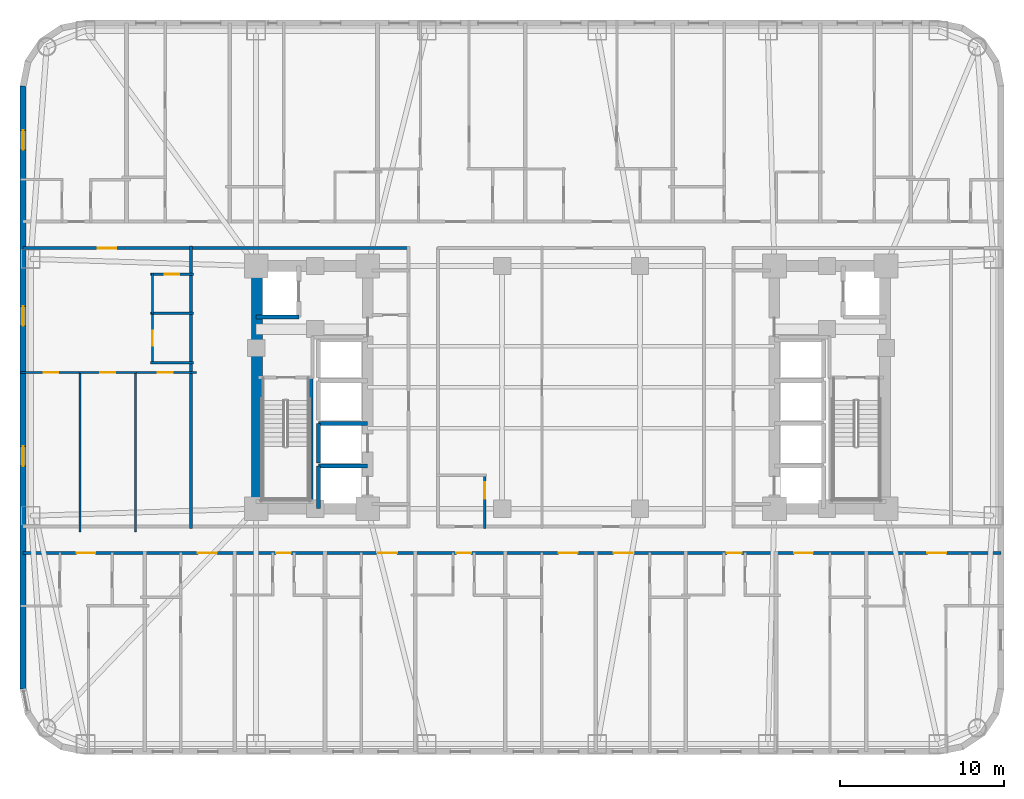
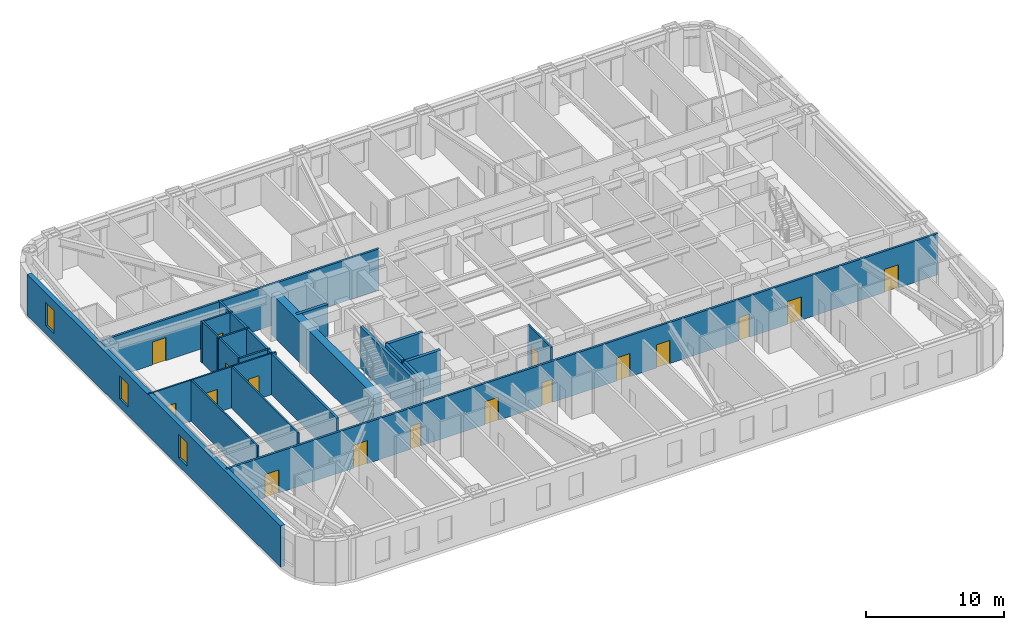
# One storey, part 4 of 11: 22 walls, 17 doors, 3 windows, 20 openings.
"""IFC4 building model written with IfcOpenShell, lengths in metres."""

from ifc_helpers import new_model, si_unit, direction, frame, frame_2d, origin, place, context, subcontext, project, spatial, rectangle, extrude, material, layer, layer_set, type_object, element, fill, save


model = new_model("IFC4")

# Units and contexts
model_context = context("Model", 3, precision=1e-05, world=origin(), true_north=direction((0.0, 1.0)))
body_context = subcontext(model_context, "Body", "Model", "MODEL_VIEW")
ifc_project = project(units=[si_unit("LENGTHUNIT", "METRE"), si_unit("AREAUNIT", "SQUARE_METRE"), si_unit("VOLUMEUNIT", "CUBIC_METRE"), si_unit("PLANEANGLEUNIT", "RADIAN"), si_unit("MASSUNIT", "GRAM", prefix="KILO")], contexts=[model_context])

# Site, building, storey
site_placement = place(None, origin())
site = spatial("IfcSite", under=ifc_project, at=site_placement, CompositionType="ELEMENT")
building_placement = place(site_placement, origin())
building = spatial("IfcBuilding", under=site, at=building_placement, Name="Voryun Gate Residences", CompositionType="ELEMENT")
storey_placement = place(building_placement, frame((0.0, 0.0, 68.89990234375)))
storey = spatial("IfcBuildingStorey", under=building, at=storey_placement, Name="L16", CompositionType="ELEMENT", Elevation=68.89990234375)

# Wall
ifc_material_1 = material(Name="Concrete C60/75", Category="concrete")
ifc_layer_1 = layer(ifc_material_1, 0.64990234375, Name="CW_CORE_650")
ifc_layer_set_1 = layer_set([ifc_layer_1], Name="Concrete C60/75")
wall_type_1 = type_object("IfcWallType", Name="CW_CORE_650", PredefinedType="SHEAR", material=ifc_layer_set_1)
wall_1_placement = place(storey_placement, frame((-19.14501953125, -7.39990234375, 0.0), z_axis=(0.0, 0.0, 1.0), x_axis=(0.0, 1.0, 0.0)))
element("IfcWall", 1, at=wall_1_placement, inside=storey, type_object=wall_type_1, Name="L16 Core shear wall CW-L16-WW", PredefinedType="SHEAR", context=body_context, shape_type="SweptSolid", body=[
    extrude(rectangle(XDim=14.7998046875, YDim=0.64990234375, at=frame_2d((7.39990234375, 0.0))), origin(), (0.0, 0.0, 1.0), 3.650146484375),
])

# Wall, opening, door
ifc_material_2 = material(Name="Gypsum acoustic fireboard")
ifc_layer_2 = layer(ifc_material_2, 0.179931640625, Name="W_CORR_RATED_180")
ifc_layer_set_2 = layer_set([ifc_layer_2], Name="Gypsum acoustic fireboard")
wall_type_2 = type_object("IfcWallType", Name="W_CORR_RATED_180", PredefinedType="PARTITIONING", material=ifc_layer_set_2)
wall_2_placement = place(storey_placement, frame((-33.409912109375, 8.489990234375, 0.0), z_axis=(0.0, 0.0, 1.0), x_axis=(1.0, 0.0, 0.0)))
wall_2 = element("IfcWall", 2, at=wall_2_placement, inside=storey, type_object=wall_type_2, Name="Partition wall WP-L16-CWING-WN", PredefinedType="PARTITIONING", context=body_context, shape_type="SweptSolid", body=[
    extrude(rectangle(XDim=23.530029296875, YDim=0.179931640625, at=frame_2d((11.76513671875, 0.0))), origin(), (0.0, 0.0, 1.0), 3.650146484375),
])
opening_1_placement = place(wall_2_placement, frame((4.540283203125, 0.0, 0.0)))
opening_1 = element("IfcOpeningElement", 3, at=opening_1_placement, cuts=wall_2, Name="Opening D-UNIT-1", PredefinedType="OPENING", context=body_context, shape_type="SweptSolid", body=[
    extrude(rectangle(XDim=1.14990234375, YDim=2.050048828125, at=frame_2d((0.574951171875, 1.02490234375))), frame((0.0, 0.099853515625, 0.0), z_axis=(0.0, -1.0, 0.0), x_axis=(1.0, 0.0, 0.0)), (0.0, 0.0, 1.0), 0.199951171875),
])
ifc_material_3 = material(Name="Armoured timber-clad fire door", Category="wood")
door_type_1 = type_object("IfcDoorType", Name="DR_UNIT_ENTRY_1150", OperationType="NOTDEFINED", PredefinedType="DOOR", material=ifc_material_3)
door_1_placement = place(opening_1_placement, origin())
door_1 = element("IfcDoor", 4, at=door_1_placement, inside=storey, type_object=door_type_1, Name="Door DR-L16-WE1N", OperationType="SINGLE_SWING_LEFT", OverallHeight=2.050048828125, OverallWidth=1.14990234375, PredefinedType="DOOR", context=body_context, shape_type="SweptSolid", body=[
    extrude(rectangle(XDim=1.14990234375, YDim=2.050048828125, at=frame_2d((0.574951171875, 1.02490234375))), frame((0.0, 0.02490234375, 0.0), z_axis=(0.0, -1.0, 0.0), x_axis=(1.0, 0.0, 0.0)), (0.0, 0.0, 1.0), 0.050048828125),
])
fill(opening_1, door_1)

# Wall, openings, doors
wall_3_placement = place(storey_placement, frame((-33.409912109375, -10.10009765625, 0.0), z_axis=(0.0, 0.0, 1.0), x_axis=(1.0, 0.0, 0.0)))
wall_3 = element("IfcWall", 5, at=wall_3_placement, inside=storey, type_object=wall_type_2, Name="Partition wall WP-L16-SCORR", PredefinedType="PARTITIONING", context=body_context, shape_type="SweptSolid", body=[
    extrude(rectangle(XDim=59.619873046875, YDim=0.179931640625, at=frame_2d((29.81005859375, 0.0))), origin(), (0.0, 0.0, 1.0), 3.650146484375),
])
opening_2_placement = place(wall_3_placement, frame((3.258544921875, 0.0, 0.0)))
opening_2 = element("IfcOpeningElement", 6, at=opening_2_placement, cuts=wall_3, Name="Opening D-UNIT-1", PredefinedType="OPENING", context=body_context, shape_type="SweptSolid", body=[
    extrude(rectangle(XDim=1.14990234375, YDim=2.050048828125, at=frame_2d((0.574951171875, 1.02490234375))), frame((0.0, 0.099853515625, 0.0), z_axis=(0.0, -1.0, 0.0), x_axis=(1.0, 0.0, 0.0)), (0.0, 0.0, 1.0), 0.199951171875),
])
opening_3_placement = place(wall_3_placement, frame((10.657470703125, 0.0, 0.0)))
opening_3 = element("IfcOpeningElement", 7, at=opening_3_placement, cuts=wall_3, Name="Opening D-UNIT-1", PredefinedType="OPENING", context=body_context, shape_type="SweptSolid", body=[
    extrude(rectangle(XDim=1.14990234375, YDim=2.050048828125, at=frame_2d((0.574951171875, 1.02490234375))), frame((0.0, 0.099853515625, 0.0), z_axis=(0.0, -1.0, 0.0), x_axis=(1.0, 0.0, 0.0)), (0.0, 0.0, 1.0), 0.199951171875),
])
opening_4_placement = place(wall_3_placement, frame((15.4208984375, 0.0, 0.0)))
opening_4 = element("IfcOpeningElement", 8, at=opening_4_placement, cuts=wall_3, Name="Opening D-INT-2", PredefinedType="OPENING", context=body_context, shape_type="SweptSolid", body=[
    extrude(rectangle(XDim=0.89990234375, YDim=2.050048828125, at=frame_2d((0.449951171875, 1.02490234375))), frame((0.0, 0.099853515625, 0.0), z_axis=(0.0, -1.0, 0.0), x_axis=(1.0, 0.0, 0.0)), (0.0, 0.0, 1.0), 0.199951171875),
])
opening_5_placement = place(wall_3_placement, frame((21.6572265625, 0.0, 0.0)))
opening_5 = element("IfcOpeningElement", 9, at=opening_5_placement, cuts=wall_3, Name="Opening D-UNIT-1", PredefinedType="OPENING", context=body_context, shape_type="SweptSolid", body=[
    extrude(rectangle(XDim=1.14990234375, YDim=2.050048828125, at=frame_2d((0.574951171875, 1.02490234375))), frame((0.0, 0.099853515625, 0.0), z_axis=(0.0, -1.0, 0.0), x_axis=(1.0, 0.0, 0.0)), (0.0, 0.0, 1.0), 0.199951171875),
])
opening_6_placement = place(wall_3_placement, frame((26.420654296875, 0.0, 0.0)))
opening_6 = element("IfcOpeningElement", 10, at=opening_6_placement, cuts=wall_3, Name="Opening D-INT-2", PredefinedType="OPENING", context=body_context, shape_type="SweptSolid", body=[
    extrude(rectangle(XDim=0.89990234375, YDim=2.050048828125, at=frame_2d((0.449951171875, 1.02490234375))), frame((0.0, 0.099853515625, 0.0), z_axis=(0.0, -1.0, 0.0), x_axis=(1.0, 0.0, 0.0)), (0.0, 0.0, 1.0), 0.199951171875),
])
opening_7_placement = place(wall_3_placement, frame((32.6572265625, 0.0, 0.0)))
opening_7 = element("IfcOpeningElement", 11, at=opening_7_placement, cuts=wall_3, Name="Opening D-UNIT-1", PredefinedType="OPENING", context=body_context, shape_type="SweptSolid", body=[
    extrude(rectangle(XDim=1.14990234375, YDim=2.050048828125, at=frame_2d((0.574951171875, 1.02490234375))), frame((0.0, 0.099853515625, 0.0), z_axis=(0.0, -1.0, 0.0), x_axis=(1.0, 0.0, 0.0)), (0.0, 0.0, 1.0), 0.199951171875),
])
opening_8_placement = place(wall_3_placement, frame((36.0078125, 0.0, 0.0)))
opening_8 = element("IfcOpeningElement", 12, at=opening_8_placement, cuts=wall_3, Name="Opening D-UNIT-1", PredefinedType="OPENING", context=body_context, shape_type="SweptSolid", body=[
    extrude(rectangle(XDim=1.14990234375, YDim=2.050048828125, at=frame_2d((0.574951171875, 1.02490234375))), frame((0.0, 0.099853515625, 0.0), z_axis=(0.0, -1.0, 0.0), x_axis=(1.0, 0.0, 0.0)), (0.0, 0.0, 1.0), 0.199951171875),
])
opening_9_placement = place(wall_3_placement, frame((42.91748046875, 0.0, 0.0)))
opening_9 = element("IfcOpeningElement", 13, at=opening_9_placement, cuts=wall_3, Name="Opening D-INT-2", PredefinedType="OPENING", context=body_context, shape_type="SweptSolid", body=[
    extrude(rectangle(XDim=0.89990234375, YDim=2.050048828125, at=frame_2d((0.449951171875, 1.02490234375))), frame((0.0, 0.099853515625, 0.0), z_axis=(0.0, -1.0, 0.0), x_axis=(1.0, 0.0, 0.0)), (0.0, 0.0, 1.0), 0.199951171875),
])
opening_10_placement = place(wall_3_placement, frame((47.0078125, 0.0, 0.0)))
opening_10 = element("IfcOpeningElement", 14, at=opening_10_placement, cuts=wall_3, Name="Opening D-UNIT-1", PredefinedType="OPENING", context=body_context, shape_type="SweptSolid", body=[
    extrude(rectangle(XDim=1.14990234375, YDim=2.050048828125, at=frame_2d((0.574951171875, 1.02490234375))), frame((0.0, 0.099853515625, 0.0), z_axis=(0.0, -1.0, 0.0), x_axis=(1.0, 0.0, 0.0)), (0.0, 0.0, 1.0), 0.199951171875),
])
opening_11_placement = place(wall_3_placement, frame((55.139892578125, 0.0, 0.0)))
opening_11 = element("IfcOpeningElement", 15, at=opening_11_placement, cuts=wall_3, Name="Opening D-UNIT-1", PredefinedType="OPENING", context=body_context, shape_type="SweptSolid", body=[
    extrude(rectangle(XDim=1.14990234375, YDim=2.050048828125, at=frame_2d((0.574951171875, 1.02490234375))), frame((0.0, 0.099853515625, 0.0), z_axis=(0.0, -1.0, 0.0), x_axis=(1.0, 0.0, 0.0)), (0.0, 0.0, 1.0), 0.199951171875),
])
ifc_material_4 = material(Name="Architectural oak veneer")
door_type_2 = type_object("IfcDoorType", Name="DR_INT_BATH_900", OperationType="NOTDEFINED", PredefinedType="DOOR", material=ifc_material_4)
door_2_placement = place(opening_4_placement, origin())
door_2 = element("IfcDoor", 16, at=door_2_placement, inside=storey, type_object=door_type_2, Name="Door DR-L16-SENT-3", OperationType="SINGLE_SWING_RIGHT", OverallHeight=2.050048828125, OverallWidth=0.89990234375, PredefinedType="DOOR", context=body_context, shape_type="SweptSolid", body=[
    extrude(rectangle(XDim=0.89990234375, YDim=2.050048828125, at=frame_2d((0.449951171875, 1.02490234375))), frame((0.0, 0.02490234375, 0.0), z_axis=(0.0, -1.0, 0.0), x_axis=(1.0, 0.0, 0.0)), (0.0, 0.0, 1.0), 0.050048828125),
])
fill(opening_4, door_2)
door_3_placement = place(opening_6_placement, origin())
door_3 = element("IfcDoor", 17, at=door_3_placement, inside=storey, type_object=door_type_2, Name="Door DR-L16-SENT-5", OperationType="SINGLE_SWING_RIGHT", OverallHeight=2.050048828125, OverallWidth=0.89990234375, PredefinedType="DOOR", context=body_context, shape_type="SweptSolid", body=[
    extrude(rectangle(XDim=0.89990234375, YDim=2.050048828125, at=frame_2d((0.449951171875, 1.02490234375))), frame((0.0, 0.02490234375, 0.0), z_axis=(0.0, -1.0, 0.0), x_axis=(1.0, 0.0, 0.0)), (0.0, 0.0, 1.0), 0.050048828125),
])
fill(opening_6, door_3)
door_4_placement = place(opening_9_placement, origin())
door_4 = element("IfcDoor", 18, at=door_4_placement, inside=storey, type_object=door_type_2, Name="Door DR-L16-SENT-8", OperationType="SINGLE_SWING_LEFT", OverallHeight=2.050048828125, OverallWidth=0.89990234375, PredefinedType="DOOR", context=body_context, shape_type="SweptSolid", body=[
    extrude(rectangle(XDim=0.89990234375, YDim=2.050048828125, at=frame_2d((0.449951171875, 1.02490234375))), frame((0.0, 0.02490234375, 0.0), z_axis=(0.0, -1.0, 0.0), x_axis=(1.0, 0.0, 0.0)), (0.0, 0.0, 1.0), 0.050048828125),
])
fill(opening_9, door_4)
door_5_placement = place(opening_2_placement, origin())
door_5 = element("IfcDoor", 19, at=door_5_placement, inside=storey, type_object=door_type_1, Name="Door DR-L16-SENT-1", OperationType="SINGLE_SWING_RIGHT", OverallHeight=2.050048828125, OverallWidth=1.14990234375, PredefinedType="DOOR", context=body_context, shape_type="SweptSolid", body=[
    extrude(rectangle(XDim=1.14990234375, YDim=2.050048828125, at=frame_2d((0.574951171875, 1.02490234375))), frame((0.0, 0.02490234375, 0.0), z_axis=(0.0, -1.0, 0.0), x_axis=(1.0, 0.0, 0.0)), (0.0, 0.0, 1.0), 0.050048828125),
])
fill(opening_2, door_5)
door_6_placement = place(opening_3_placement, origin())
door_6 = element("IfcDoor", 20, at=door_6_placement, inside=storey, type_object=door_type_1, Name="Door DR-L16-SENT-2", OperationType="SINGLE_SWING_LEFT", OverallHeight=2.050048828125, OverallWidth=1.14990234375, PredefinedType="DOOR", context=body_context, shape_type="SweptSolid", body=[
    extrude(rectangle(XDim=1.14990234375, YDim=2.050048828125, at=frame_2d((0.574951171875, 1.02490234375))), frame((0.0, 0.02490234375, 0.0), z_axis=(0.0, -1.0, 0.0), x_axis=(1.0, 0.0, 0.0)), (0.0, 0.0, 1.0), 0.050048828125),
])
fill(opening_3, door_6)
door_7_placement = place(opening_5_placement, origin())
door_7 = element("IfcDoor", 21, at=door_7_placement, inside=storey, type_object=door_type_1, Name="Door DR-L16-SENT-4", OperationType="SINGLE_SWING_LEFT", OverallHeight=2.050048828125, OverallWidth=1.14990234375, PredefinedType="DOOR", context=body_context, shape_type="SweptSolid", body=[
    extrude(rectangle(XDim=1.14990234375, YDim=2.050048828125, at=frame_2d((0.574951171875, 1.02490234375))), frame((0.0, 0.02490234375, 0.0), z_axis=(0.0, -1.0, 0.0), x_axis=(1.0, 0.0, 0.0)), (0.0, 0.0, 1.0), 0.050048828125),
])
fill(opening_5, door_7)
door_8_placement = place(opening_7_placement, origin())
door_8 = element("IfcDoor", 22, at=door_8_placement, inside=storey, type_object=door_type_1, Name="Door DR-L16-SENT-6", OperationType="SINGLE_SWING_LEFT", OverallHeight=2.050048828125, OverallWidth=1.14990234375, PredefinedType="DOOR", context=body_context, shape_type="SweptSolid", body=[
    extrude(rectangle(XDim=1.14990234375, YDim=2.050048828125, at=frame_2d((0.574951171875, 1.02490234375))), frame((0.0, 0.02490234375, 0.0), z_axis=(0.0, -1.0, 0.0), x_axis=(1.0, 0.0, 0.0)), (0.0, 0.0, 1.0), 0.050048828125),
])
fill(opening_7, door_8)
door_9_placement = place(opening_8_placement, origin())
door_9 = element("IfcDoor", 23, at=door_9_placement, inside=storey, type_object=door_type_1, Name="Door DR-L16-SENT-7", OperationType="SINGLE_SWING_RIGHT", OverallHeight=2.050048828125, OverallWidth=1.14990234375, PredefinedType="DOOR", context=body_context, shape_type="SweptSolid", body=[
    extrude(rectangle(XDim=1.14990234375, YDim=2.050048828125, at=frame_2d((0.574951171875, 1.02490234375))), frame((0.0, 0.02490234375, 0.0), z_axis=(0.0, -1.0, 0.0), x_axis=(1.0, 0.0, 0.0)), (0.0, 0.0, 1.0), 0.050048828125),
])
fill(opening_8, door_9)
door_10_placement = place(opening_10_placement, origin())
door_10 = element("IfcDoor", 24, at=door_10_placement, inside=storey, type_object=door_type_1, Name="Door DR-L16-SENT-9", OperationType="SINGLE_SWING_RIGHT", OverallHeight=2.050048828125, OverallWidth=1.14990234375, PredefinedType="DOOR", context=body_context, shape_type="SweptSolid", body=[
    extrude(rectangle(XDim=1.14990234375, YDim=2.050048828125, at=frame_2d((0.574951171875, 1.02490234375))), frame((0.0, 0.02490234375, 0.0), z_axis=(0.0, -1.0, 0.0), x_axis=(1.0, 0.0, 0.0)), (0.0, 0.0, 1.0), 0.050048828125),
])
fill(opening_10, door_10)
door_11_placement = place(opening_11_placement, origin())
door_11 = element("IfcDoor", 25, at=door_11_placement, inside=storey, type_object=door_type_1, Name="Door DR-L16-SENT-10", OperationType="SINGLE_SWING_LEFT", OverallHeight=2.050048828125, OverallWidth=1.14990234375, PredefinedType="DOOR", context=body_context, shape_type="SweptSolid", body=[
    extrude(rectangle(XDim=1.14990234375, YDim=2.050048828125, at=frame_2d((0.574951171875, 1.02490234375))), frame((0.0, 0.02490234375, 0.0), z_axis=(0.0, -1.0, 0.0), x_axis=(1.0, 0.0, 0.0)), (0.0, 0.0, 1.0), 0.050048828125),
])
fill(opening_11, door_11)

# Wall
wall_4_placement = place(storey_placement, frame((-23.169921875, -8.610107421875, 0.0), z_axis=(0.0, 0.0, 1.0), x_axis=(0.0, 1.0, 0.0)))
element("IfcWall", 26, at=wall_4_placement, inside=storey, type_object=wall_type_2, Name="Partition wall WP-L16-WCOR", PredefinedType="PARTITIONING", context=body_context, shape_type="SweptSolid", body=[
    extrude(rectangle(XDim=17.22021484375, YDim=0.179931640625, at=frame_2d((8.610107421875, 0.0))), origin(), (0.0, 0.0, 1.0), 3.650146484375),
])

# Wall, openings, windows
ifc_material_5 = material(Name="Granite masonry", Category="masonry")
ifc_layer_3 = layer(ifc_material_5, 0.3798828125, Name="W_EXT_GRANITE_380")
ifc_layer_set_3 = layer_set([ifc_layer_3], Name="Granite masonry")
wall_type_3 = type_object("IfcWallType", Name="W_EXT_GRANITE_380", PredefinedType="ELEMENTEDWALL", material=ifc_layer_set_3)
wall_5_placement = place(storey_placement, frame((-33.409912109375, -18.38134765625, 0.0), z_axis=(0.0, 0.0, 1.0), x_axis=(0.0, 1.0, 0.0)))
wall_5 = element("IfcWall", 27, at=wall_5_placement, inside=storey, type_object=wall_type_3, Name="Exterior wall WEXT-L16-06", PredefinedType="ELEMENTEDWALL", context=body_context, shape_type="SweptSolid", body=[
    extrude(rectangle(XDim=36.7626953125, YDim=0.3798828125, at=frame_2d((18.38134765625, 0.0))), origin(), (0.0, 0.0, 1.0), 3.650146484375),
])
opening_12_placement = place(wall_5_placement, frame((32.85693359375, 0.0, 0.75)))
opening_12 = element("IfcOpeningElement", 28, at=opening_12_placement, cuts=wall_5, Name="Opening WN6", PredefinedType="OPENING", context=body_context, shape_type="SweptSolid", body=[
    extrude(rectangle(XDim=1.199951171875, YDim=2.050048828125, at=frame_2d((0.60009765625, 1.02490234375))), frame((0.0, 0.199951171875, 0.0), z_axis=(0.0, -1.0, 0.0), x_axis=(1.0, 0.0, 0.0)), (0.0, 0.0, 1.0), 0.39990234375),
])
opening_13_placement = place(wall_5_placement, frame((22.126220703125, 0.0, 0.75)))
opening_13 = element("IfcOpeningElement", 29, at=opening_13_placement, cuts=wall_5, Name="Opening WN6", PredefinedType="OPENING", context=body_context, shape_type="SweptSolid", body=[
    extrude(rectangle(XDim=1.199951171875, YDim=2.050048828125, at=frame_2d((0.60009765625, 1.02490234375))), frame((0.0, 0.199951171875, 0.0), z_axis=(0.0, -1.0, 0.0), x_axis=(1.0, 0.0, 0.0)), (0.0, 0.0, 1.0), 0.39990234375),
])
opening_14_placement = place(wall_5_placement, frame((13.576416015625, 0.0, 0.75)))
opening_14 = element("IfcOpeningElement", 30, at=opening_14_placement, cuts=wall_5, Name="Opening WN6", PredefinedType="OPENING", context=body_context, shape_type="SweptSolid", body=[
    extrude(rectangle(XDim=1.199951171875, YDim=2.050048828125, at=frame_2d((0.60009765625, 1.02490234375))), frame((0.0, 0.199951171875, 0.0), z_axis=(0.0, -1.0, 0.0), x_axis=(1.0, 0.0, 0.0)), (0.0, 0.0, 1.0), 0.39990234375),
])
ifc_material_6 = material(Name="Laminated low-E glass", Category="glass")
window_type = type_object("IfcWindowType", Name="WN_POD_SLOT_1200", PartitioningType="SINGLE_PANEL", PredefinedType="WINDOW", material=ifc_material_6)
window_1_placement = place(opening_12_placement, origin())
window_1 = element("IfcWindow", 31, at=window_1_placement, inside=storey, type_object=window_type, Name="Window WN-L16-DWFIX-01", OverallHeight=2.050048828125, OverallWidth=1.199951171875, PartitioningType="SINGLE_PANEL", PredefinedType="WINDOW", context=body_context, shape_type="SweptSolid", body=[
    extrude(rectangle(XDim=1.199951171875, YDim=2.050048828125, at=frame_2d((0.60009765625, 1.02490234375))), frame((0.0, 0.030029296875, 0.0), z_axis=(0.0, -1.0, 0.0), x_axis=(1.0, 0.0, 0.0)), (0.0, 0.0, 1.0), 0.06005859375),
])
fill(opening_12, window_1)
window_2_placement = place(opening_13_placement, origin())
window_2 = element("IfcWindow", 32, at=window_2_placement, inside=storey, type_object=window_type, Name="Window WN-L16-DWFIX-31", OverallHeight=2.050048828125, OverallWidth=1.199951171875, PartitioningType="SINGLE_PANEL", PredefinedType="WINDOW", context=body_context, shape_type="SweptSolid", body=[
    extrude(rectangle(XDim=1.199951171875, YDim=2.050048828125, at=frame_2d((0.60009765625, 1.02490234375))), frame((0.0, 0.030029296875, 0.0), z_axis=(0.0, -1.0, 0.0), x_axis=(1.0, 0.0, 0.0)), (0.0, 0.0, 1.0), 0.06005859375),
])
fill(opening_13, window_2)
window_3_placement = place(opening_14_placement, origin())
window_3 = element("IfcWindow", 33, at=window_3_placement, inside=storey, type_object=window_type, Name="Window WN-L16-DWFIX-32", OverallHeight=2.050048828125, OverallWidth=1.199951171875, PartitioningType="SINGLE_PANEL", PredefinedType="WINDOW", context=body_context, shape_type="SweptSolid", body=[
    extrude(rectangle(XDim=1.199951171875, YDim=2.050048828125, at=frame_2d((0.60009765625, 1.02490234375))), frame((0.0, 0.030029296875, 0.0), z_axis=(0.0, -1.0, 0.0), x_axis=(1.0, 0.0, 0.0)), (0.0, 0.0, 1.0), 0.06005859375),
])
fill(opening_14, window_3)

# Walls
ifc_material_7 = material(Name="Concrete C50/60", Category="concrete")
ifc_layer_4 = layer(ifc_material_7, 0.25, Name="W_SHAFT_RC250")
ifc_layer_set_4 = layer_set([ifc_layer_4], Name="Concrete C50/60")
wall_type_4 = type_object("IfcWallType", Name="W_SHAFT_RC250", PredefinedType="SOLIDWALL", material=ifc_layer_set_4)
wall_6_placement = place(storey_placement, frame((-15.860107421875, -7.0849609375, 0.0), z_axis=(0.0, 0.0, 1.0), x_axis=(0.0, 1.0, 0.0)))
element("IfcWall", 34, at=wall_6_placement, inside=storey, type_object=wall_type_4, Name="L16 Stair shaft structural wall W-STR", PredefinedType="SOLIDWALL", context=body_context, shape_type="SweptSolid", body=[
    extrude(rectangle(XDim=7.68505859375, YDim=0.25, at=frame_2d((3.842529296875, 0.0))), origin(), (0.0, 0.0, 1.0), 3.650146484375),
])
wall_7_placement = place(storey_placement, frame((-19.199951171875, 4.300048828125, 0.0), z_axis=(0.0, 0.0, 1.0), x_axis=(1.0, 0.0, 0.0)))
element("IfcWall", 35, at=wall_7_placement, inside=storey, type_object=wall_type_4, Name="Lift shaft wall WSH-L16-EL-FF-W1-S", PredefinedType="SOLIDWALL", context=body_context, shape_type="SweptSolid", body=[
    extrude(rectangle(XDim=2.599853515625, YDim=0.25, at=frame_2d((1.2998046875, 0.0))), origin(), (0.0, 0.0, 1.0), 3.650146484375),
])
wall_8_placement = place(storey_placement, frame((-12.39990234375, -4.800048828125, 0.0), z_axis=(0.0, 0.0, 1.0), x_axis=(-1.0, 0.0, 0.0)))
element("IfcWall", 36, at=wall_8_placement, inside=storey, type_object=wall_type_4, Name="Lift shaft wall WSH-L16-EL-P1-N", PredefinedType="SOLIDWALL", context=body_context, shape_type="SweptSolid", body=[
    extrude(rectangle(XDim=3.0, YDim=0.25, at=frame_2d((1.5, 0.0))), origin(), (0.0, 0.0, 1.0), 3.650146484375),
])
wall_9_placement = place(storey_placement, frame((-15.39990234375, -4.800048828125, 0.0), z_axis=(0.0, 0.0, 1.0), x_axis=(0.0, -1.0, 0.0)))
element("IfcWall", 37, at=wall_9_placement, inside=storey, type_object=wall_type_4, Name="Lift shaft wall WSH-L16-EL-P1-W", PredefinedType="SOLIDWALL", context=body_context, shape_type="SweptSolid", body=[
    extrude(rectangle(XDim=2.599853515625, YDim=0.25, at=frame_2d((1.2998046875, 0.0))), origin(), (0.0, 0.0, 1.0), 3.650146484375),
])
wall_10_placement = place(storey_placement, frame((-12.39990234375, -2.199951171875, 0.0), z_axis=(0.0, 0.0, 1.0), x_axis=(-1.0, 0.0, 0.0)))
element("IfcWall", 38, at=wall_10_placement, inside=storey, type_object=wall_type_4, Name="Lift shaft wall WSH-L16-EL-P2-N", PredefinedType="SOLIDWALL", context=body_context, shape_type="SweptSolid", body=[
    extrude(rectangle(XDim=3.0, YDim=0.25, at=frame_2d((1.5, 0.0))), origin(), (0.0, 0.0, 1.0), 3.650146484375),
])
wall_11_placement = place(storey_placement, frame((-15.39990234375, -2.199951171875, 0.0), z_axis=(0.0, 0.0, 1.0), x_axis=(0.0, -1.0, 0.0)))
element("IfcWall", 39, at=wall_11_placement, inside=storey, type_object=wall_type_4, Name="Lift shaft wall WSH-L16-EL-P2-W", PredefinedType="SOLIDWALL", context=body_context, shape_type="SweptSolid", body=[
    extrude(rectangle(XDim=2.400146484375, YDim=0.25, at=frame_2d((1.2001953125, 0.0))), origin(), (0.0, 0.0, 1.0), 3.650146484375),
])

# Wall, opening, door
ifc_material_8 = material(Name="Gypsum acoustic partition")
ifc_layer_5 = layer(ifc_material_8, 0.125, Name="W_UNIT_PART_125")
ifc_layer_set_5 = layer_set([ifc_layer_5], Name="Gypsum acoustic partition")
wall_type_5 = type_object("IfcWallType", Name="W_UNIT_PART_125", PredefinedType="PARTITIONING", material=ifc_layer_set_5)
wall_12_placement = place(storey_placement, frame((-33.56005859375, 0.909912109375, 0.0), z_axis=(0.0, 0.0, 1.0), x_axis=(1.0, 0.0, 0.0)))
wall_12 = element("IfcWall", 40, at=wall_12_placement, inside=storey, type_object=wall_type_5, Name="Partition wall WP-L16-W1-HZMB1", PredefinedType="PARTITIONING", context=body_context, shape_type="SweptSolid", body=[
    extrude(rectangle(XDim=3.689453125, YDim=0.125, at=frame_2d((1.8447265625, 0.0))), origin(), (0.0, 0.0, 1.0), 3.650146484375),
])
opening_15_placement = place(wall_12_placement, frame((1.403564453125, 0.0, 0.0)))
opening_15 = element("IfcOpeningElement", 41, at=opening_15_placement, cuts=wall_12, Name="Opening D-INT-2", PredefinedType="OPENING", context=body_context, shape_type="SweptSolid", body=[
    extrude(rectangle(XDim=0.89990234375, YDim=2.050048828125, at=frame_2d((0.449951171875, 1.02490234375))), frame((0.0, 0.072509765625, 0.0), z_axis=(0.0, -1.0, 0.0), x_axis=(1.0, 0.0, 0.0)), (0.0, 0.0, 1.0), 0.14501953125),
])
door_12_placement = place(opening_15_placement, origin())
door_12 = element("IfcDoor", 42, at=door_12_placement, inside=storey, type_object=door_type_2, Name="Door DR-L16-W1-DMB", OperationType="SINGLE_SWING_LEFT", OverallHeight=2.050048828125, OverallWidth=0.89990234375, PredefinedType="DOOR", context=body_context, shape_type="SweptSolid", body=[
    extrude(rectangle(XDim=0.89990234375, YDim=2.050048828125, at=frame_2d((0.449951171875, 1.02490234375))), frame((0.0, 0.02490234375, 0.0), z_axis=(0.0, -1.0, 0.0), x_axis=(1.0, 0.0, 0.0)), (0.0, 0.0, 1.0), 0.050048828125),
])
fill(opening_15, door_12)

wall_13_placement = place(storey_placement, frame((-29.99560546875, 0.909912109375, 0.0), z_axis=(0.0, 0.0, 1.0), x_axis=(1.0, 0.0, 0.0)))
wall_13 = element("IfcWall", 43, at=wall_13_placement, inside=storey, type_object=wall_type_5, Name="Partition wall WP-L16-W1-HZMB2", PredefinedType="PARTITIONING", context=body_context, shape_type="SweptSolid", body=[
    extrude(rectangle(XDim=3.506103515625, YDim=0.125, at=frame_2d((1.7529296875, 0.0))), origin(), (0.0, 0.0, 1.0), 3.650146484375),
])
opening_16_placement = place(wall_13_placement, frame((1.302978515625, 0.0, 0.0)))
opening_16 = element("IfcOpeningElement", 44, at=opening_16_placement, cuts=wall_13, Name="Opening D-INT-2", PredefinedType="OPENING", context=body_context, shape_type="SweptSolid", body=[
    extrude(rectangle(XDim=0.89990234375, YDim=2.050048828125, at=frame_2d((0.449951171875, 1.02490234375))), frame((0.0, 0.072509765625, 0.0), z_axis=(0.0, -1.0, 0.0), x_axis=(1.0, 0.0, 0.0)), (0.0, 0.0, 1.0), 0.14501953125),
])
door_13_placement = place(opening_16_placement, origin())
door_13 = element("IfcDoor", 45, at=door_13_placement, inside=storey, type_object=door_type_2, Name="Door DR-L16-W1-DBD2", OperationType="SINGLE_SWING_RIGHT", OverallHeight=2.050048828125, OverallWidth=0.89990234375, PredefinedType="DOOR", context=body_context, shape_type="SweptSolid", body=[
    extrude(rectangle(XDim=0.89990234375, YDim=2.050048828125, at=frame_2d((0.449951171875, 1.02490234375))), frame((0.0, 0.02490234375, 0.0), z_axis=(0.0, -1.0, 0.0), x_axis=(1.0, 0.0, 0.0)), (0.0, 0.0, 1.0), 0.050048828125),
])
fill(opening_16, door_13)

wall_14_placement = place(storey_placement, frame((-26.614501953125, 0.909912109375, 0.0), z_axis=(0.0, 0.0, 1.0), x_axis=(1.0, 0.0, 0.0)))
wall_14 = element("IfcWall", 46, at=wall_14_placement, inside=storey, type_object=wall_type_5, Name="Partition wall WP-L16-W1-HZMB3", PredefinedType="PARTITIONING", context=body_context, shape_type="SweptSolid", body=[
    extrude(rectangle(XDim=3.764404296875, YDim=0.125, at=frame_2d((1.88232421875, 0.0))), origin(), (0.0, 0.0, 1.0), 3.650146484375),
])
opening_17_placement = place(wall_14_placement, frame((1.423583984375, 0.0, 0.0)))
opening_17 = element("IfcOpeningElement", 47, at=opening_17_placement, cuts=wall_14, Name="Opening D-INT-2", PredefinedType="OPENING", context=body_context, shape_type="SweptSolid", body=[
    extrude(rectangle(XDim=0.89990234375, YDim=2.050048828125, at=frame_2d((0.449951171875, 1.02490234375))), frame((0.0, 0.072509765625, 0.0), z_axis=(0.0, -1.0, 0.0), x_axis=(1.0, 0.0, 0.0)), (0.0, 0.0, 1.0), 0.14501953125),
])
door_14_placement = place(opening_17_placement, origin())
door_14 = element("IfcDoor", 48, at=door_14_placement, inside=storey, type_object=door_type_2, Name="Door DR-L16-W1-DBD3", OperationType="SINGLE_SWING_LEFT", OverallHeight=2.050048828125, OverallWidth=0.89990234375, PredefinedType="DOOR", context=body_context, shape_type="SweptSolid", body=[
    extrude(rectangle(XDim=0.89990234375, YDim=2.050048828125, at=frame_2d((0.449951171875, 1.02490234375))), frame((0.0, 0.02490234375, 0.0), z_axis=(0.0, -1.0, 0.0), x_axis=(1.0, 0.0, 0.0)), (0.0, 0.0, 1.0), 0.050048828125),
])
fill(opening_17, door_14)

# Walls
for number, where, z_axis, x_axis, name in (
    (49, (-26.552001953125, -8.81005859375, 0.0), (0.0, 0.0, 1.0), (0.0, 1.0, 0.0), "Partition wall WP-L16-W1-VMB2"),
    (50, (-29.93310546875, -8.81005859375, 0.0), (0.0, 0.0, 1.0), (0.0, 1.0, 0.0), "Partition wall WP-L16-W1-VMB"),
):
    element("IfcWall", number, at=place(storey_placement, frame(where, z_axis=z_axis, x_axis=x_axis)), inside=storey, type_object=wall_type_5, Name=name, PredefinedType="PARTITIONING", context=body_context, shape_type="SweptSolid", body=[
        extrude(rectangle(XDim=9.780029296875, YDim=0.125, at=frame_2d((4.89013671875, 0.0))), origin(), (0.0, 0.0, 1.0), 3.650146484375),
    ])

# Wall, opening, door
ifc_material_9 = material(Name="Gypsum moisture-resistant partition")
ifc_layer_6 = layer(ifc_material_9, 0.14990234375, Name="W_WET_PLUMB_150")
ifc_layer_set_6 = layer_set([ifc_layer_6], Name="Gypsum moisture-resistant partition")
wall_type_6 = type_object("IfcWallType", Name="W_WET_PLUMB_150", PredefinedType="PLUMBINGWALL", material=ifc_layer_set_6)
wall_15_placement = place(storey_placement, frame((-5.260009765625, -8.6201171875, 0.0), z_axis=(0.0, 0.0, 1.0), x_axis=(0.0, 1.0, 0.0)))
wall_15 = element("IfcWall", 51, at=wall_15_placement, inside=storey, type_object=wall_type_6, Name="Partition wall WP-L16-CMWCX", PredefinedType="PLUMBINGWALL", context=body_context, shape_type="SweptSolid", body=[
    extrude(rectangle(XDim=3.35009765625, YDim=0.14990234375, at=frame_2d((1.675048828125, 0.0))), origin(), (0.0, 0.0, 1.0), 3.650146484375),
])
opening_18_placement = place(wall_15_placement, frame((1.8349609375, 0.0, 0.0)))
opening_18 = element("IfcOpeningElement", 52, at=opening_18_placement, cuts=wall_15, Name="Opening D-AWC-1", PredefinedType="OPENING", context=body_context, shape_type="SweptSolid", body=[
    extrude(rectangle(XDim=1.0, YDim=2.050048828125, at=frame_2d((0.5, 1.02490234375))), frame((0.0, 0.0849609375, 0.0), z_axis=(0.0, -1.0, 0.0), x_axis=(1.0, 0.0, 0.0)), (0.0, 0.0, 1.0), 0.169921875),
])
ifc_material_10 = material(Name="Architectural oak veneer")
door_type_3 = type_object("IfcDoorType", Name="DR_ACC_WC_1000", OperationType="NOTDEFINED", PredefinedType="DOOR", material=ifc_material_10)
door_15_placement = place(opening_18_placement, origin())
door_15 = element("IfcDoor", 53, at=door_15_placement, inside=storey, type_object=door_type_3, Name="Door DR-L16-CMWC", OperationType="SINGLE_SWING_LEFT", OverallHeight=2.050048828125, OverallWidth=1.0, PredefinedType="DOOR", context=body_context, shape_type="SweptSolid", body=[
    extrude(rectangle(XDim=1.0, YDim=2.050048828125, at=frame_2d((0.5, 1.02490234375))), frame((0.0, 0.02490234375, 0.0), z_axis=(0.0, -1.0, 0.0), x_axis=(1.0, 0.0, 0.0)), (0.0, 0.0, 1.0), 0.050048828125),
])
fill(opening_18, door_15)

wall_16_placement = place(storey_placement, frame((-25.639892578125, 6.89990234375, 0.0), z_axis=(0.0, 0.0, 1.0), x_axis=(1.0, 0.0, 0.0)))
wall_16 = element("IfcWall", 54, at=wall_16_placement, inside=storey, type_object=wall_type_6, Name="Partition wall WP-L16-W1-IBT", PredefinedType="PLUMBINGWALL", context=body_context, shape_type="SweptSolid", body=[
    extrude(rectangle(XDim=2.619873046875, YDim=0.14990234375, at=frame_2d((1.31005859375, 0.0))), origin(), (0.0, 0.0, 1.0), 3.650146484375),
])
opening_19_placement = place(wall_16_placement, frame((0.860107421875, 0.0, 0.0)))
opening_19 = element("IfcOpeningElement", 55, at=opening_19_placement, cuts=wall_16, Name="Opening D-INT-2", PredefinedType="OPENING", context=body_context, shape_type="SweptSolid", body=[
    extrude(rectangle(XDim=0.89990234375, YDim=2.050048828125, at=frame_2d((0.449951171875, 1.02490234375))), frame((0.0, 0.0849609375, 0.0), z_axis=(0.0, -1.0, 0.0), x_axis=(1.0, 0.0, 0.0)), (0.0, 0.0, 1.0), 0.169921875),
])
door_16_placement = place(opening_19_placement, origin())
door_16 = element("IfcDoor", 56, at=door_16_placement, inside=storey, type_object=door_type_2, Name="Door DR-L16-W1-DK", OperationType="SINGLE_SWING_LEFT", OverallHeight=2.050048828125, OverallWidth=0.89990234375, PredefinedType="DOOR", context=body_context, shape_type="SweptSolid", body=[
    extrude(rectangle(XDim=0.89990234375, YDim=2.050048828125, at=frame_2d((0.449951171875, 1.02490234375))), frame((0.0, 0.02490234375, 0.0), z_axis=(0.0, -1.0, 0.0), x_axis=(1.0, 0.0, 0.0)), (0.0, 0.0, 1.0), 0.050048828125),
])
fill(opening_19, door_16)

# Walls
for number, where, z_axis, x_axis, name in (
    (57, (-25.639892578125, 4.52001953125, 0.0), (0.0, 0.0, 1.0), (1.0, 0.0, 0.0), "Partition wall WP-L16-W1-IKB"),
    (58, (-25.639892578125, 1.5, 0.0), (0.0, 0.0, 1.0), (1.0, 0.0, 0.0), "Partition wall WP-L16-W1-IBB"),
):
    element("IfcWall", number, at=place(storey_placement, frame(where, z_axis=z_axis, x_axis=x_axis)), inside=storey, type_object=wall_type_6, Name=name, PredefinedType="PLUMBINGWALL", context=body_context, shape_type="SweptSolid", body=[
        extrude(rectangle(XDim=2.619873046875, YDim=0.14990234375, at=frame_2d((1.31005859375, 0.0))), origin(), (0.0, 0.0, 1.0), 3.650146484375),
    ])

# Wall, opening, door
wall_17_placement = place(storey_placement, frame((-25.52001953125, 1.43994140625, 0.0), z_axis=(0.0, 0.0, 1.0), x_axis=(0.0, 1.0, 0.0)))
wall_17 = element("IfcWall", 59, at=wall_17_placement, inside=storey, type_object=wall_type_6, Name="Partition wall WP-L16-W1-VTSK1", PredefinedType="PLUMBINGWALL", context=body_context, shape_type="SweptSolid", body=[
    extrude(rectangle(XDim=3.1201171875, YDim=0.14990234375, at=frame_2d((1.56005859375, 0.0))), origin(), (0.0, 0.0, 1.0), 3.650146484375),
])
opening_20_placement = place(wall_17_placement, frame((1.110107421875, 0.0, 0.0)))
opening_20 = element("IfcOpeningElement", 60, at=opening_20_placement, cuts=wall_17, Name="Opening D-INT-2", PredefinedType="OPENING", context=body_context, shape_type="SweptSolid", body=[
    extrude(rectangle(XDim=0.89990234375, YDim=2.050048828125, at=frame_2d((0.449951171875, 1.02490234375))), frame((0.0, 0.0849609375, 0.0), z_axis=(0.0, -1.0, 0.0), x_axis=(1.0, 0.0, 0.0)), (0.0, 0.0, 1.0), 0.169921875),
])
door_17_placement = place(opening_20_placement, origin())
door_17 = element("IfcDoor", 61, at=door_17_placement, inside=storey, type_object=door_type_2, Name="Door DR-L16-W1-DB", OperationType="SINGLE_SWING_RIGHT", OverallHeight=2.050048828125, OverallWidth=0.89990234375, PredefinedType="DOOR", context=body_context, shape_type="SweptSolid", body=[
    extrude(rectangle(XDim=0.89990234375, YDim=2.050048828125, at=frame_2d((0.449951171875, 1.02490234375))), frame((0.0, 0.02490234375, 0.0), z_axis=(0.0, -1.0, 0.0), x_axis=(1.0, 0.0, 0.0)), (0.0, 0.0, 1.0), 0.050048828125),
])
fill(opening_20, door_17)

# Wall
wall_18_placement = place(storey_placement, frame((-25.52001953125, 4.47998046875, 0.0), z_axis=(0.0, 0.0, 1.0), x_axis=(0.0, 1.0, 0.0)))
element("IfcWall", 62, at=wall_18_placement, inside=storey, type_object=wall_type_6, Name="Partition wall WP-L16-W1-VTSK2", PredefinedType="PLUMBINGWALL", context=body_context, shape_type="SweptSolid", body=[
    extrude(rectangle(XDim=2.47998046875, YDim=0.14990234375, at=frame_2d((1.239990234375, 0.0))), origin(), (0.0, 0.0, 1.0), 3.650146484375),
])

save(model, "model.ifc")
